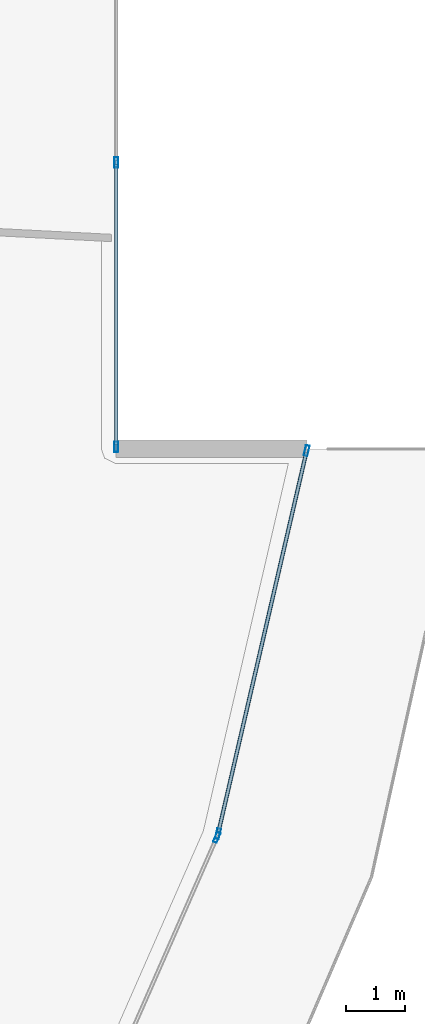
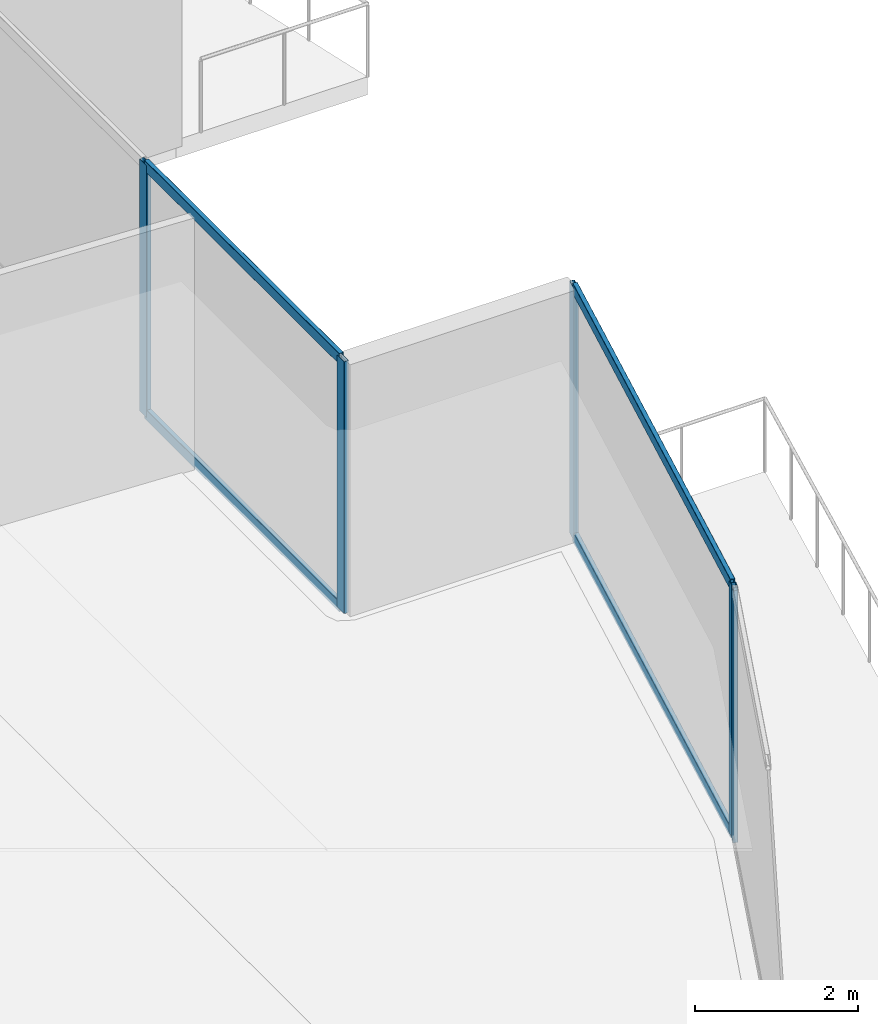
# One storey, part 11 of 40: 9 members, 3 elements without a shape of their own.
"""IFC4 building model written with IfcOpenShell, lengths in metres."""

import ifcopenshell
import ifcopenshell.guid

model = None  # the IFC model being written
_history = None  # IfcOwnerHistory: only IFC2X3 demands one
_inside = {}  # id of a spatial element -> (the spatial element, [elements in it])
_under = {}  # id of a project, library or spatial element -> (it, [spatial elements below it])
_declared = {}  # id of a project -> (the project, [libraries it declares])
_typed = {}  # id of a type object -> (the type object, [elements of that type])
_made_of = {}  # id of a material, layer set ... -> (it, [elements and type objects made of it])


def new_model(schema):
    """Start an empty IFC model of exactly this schema.

    Asked for "IFC4X3", IfcOpenShell would pick the latest addendum, in which some entities
    have other attributes; the version numbers below select the first issue.
    IFC2X3 requires an IfcOwnerHistory on every rooted entity: one is made here for all.
    """
    global model, _history
    if schema == "IFC4X3":
        model = ifcopenshell.file(schema_version=(4, 3, 0, 0))
    else:
        model = ifcopenshell.file(schema=schema)
    _inside.clear()
    _under.clear()
    _declared.clear()
    _typed.clear()
    _made_of.clear()
    _history = None
    if model.schema == "IFC2X3":
        org = make("IfcOrganization", Name="unknown")
        user = make(
            "IfcPersonAndOrganization",
            ThePerson=make("IfcPerson", FamilyName="unknown"),
            TheOrganization=org,
        )
        app = make(
            "IfcApplication",
            ApplicationDeveloper=org,
            Version="unknown",
            ApplicationFullName="unknown",
            ApplicationIdentifier="unknown",
        )
        _history = make(
            "IfcOwnerHistory",
            OwningUser=user,
            OwningApplication=app,
            ChangeAction="ADDED",
            CreationDate=0,
        )
    return model


def make(cls, **values):
    """One entity of the class cls with the attributes given. An attribute that is None is left unset."""
    return model.create_entity(
        cls, **{name: value for name, value in values.items() if value is not None}
    )


def rooted(cls, **values):
    """An entity with a GlobalId (a new one), such as an element, a storey or a relation."""
    return make(cls, GlobalId=ifcopenshell.guid.new(), OwnerHistory=_history, **values)


def si_unit(unit_type, name, prefix=None):
    """IfcSIUnit, for example si_unit("LENGTHUNIT", "METRE", prefix="MILLI")."""
    return make("IfcSIUnit", UnitType=unit_type, Prefix=prefix, Name=name)


def assignment(units):
    """IfcUnitAssignment: the units of a project."""
    return None if units is None else make("IfcUnitAssignment", Units=units)


def point(xyz):
    """IfcCartesianPoint."""
    return None if xyz is None else make("IfcCartesianPoint", Coordinates=xyz)


def direction(xyz):
    """IfcDirection."""
    return None if xyz is None else make("IfcDirection", DirectionRatios=xyz)


def frame(location, z_axis=None, x_axis=None):
    """IfcAxis2Placement3D, a coordinate frame: its origin and axes. An axis left out is left unset."""
    return make(
        "IfcAxis2Placement3D",
        Location=point(location),
        Axis=direction(z_axis),
        RefDirection=direction(x_axis),
    )


def frame_2d(location, x_axis=None):
    """IfcAxis2Placement2D, a coordinate frame in the plane: its origin and x axis."""
    return make(
        "IfcAxis2Placement2D", Location=point(location), RefDirection=direction(x_axis)
    )


def origin():
    """The frame at (0, 0, 0) with its axes left unset."""
    return frame((0.0, 0.0, 0.0))


def origin_2d():
    """The frame at (0, 0) in the plane with its x axis left unset."""
    return frame_2d((0.0, 0.0))


def place(relative_to, where):
    """IfcLocalPlacement: puts the frame where relative to a parent placement (None: the world)."""
    return make(
        "IfcLocalPlacement", PlacementRelTo=relative_to, RelativePlacement=where
    )


def context(
    kind, dimensions, precision=None, world=None, true_north=None, identifier=None
):
    """IfcGeometricRepresentationContext, for example the 3D "Model" context."""
    return make(
        "IfcGeometricRepresentationContext",
        ContextIdentifier=identifier,
        ContextType=kind,
        CoordinateSpaceDimension=dimensions,
        Precision=precision,
        WorldCoordinateSystem=world,
        TrueNorth=true_north,
    )


def subcontext(parent, identifier, kind, view, scale=None):
    """IfcGeometricRepresentationSubContext, for example "Body" below "Model"."""
    return make(
        "IfcGeometricRepresentationSubContext",
        ContextIdentifier=identifier,
        ContextType=kind,
        ParentContext=parent,
        TargetScale=scale,
        TargetView=view,
    )


def project(units=None, contexts=None):
    """IfcProject with its units and contexts."""
    return rooted(
        "IfcProject",
        Name="project",
        RepresentationContexts=contexts,
        UnitsInContext=assignment(units),
    )


def spatial(cls, under=None, at=None, **own):
    """A site, building, storey or space (cls), placed at a placement, below another one or the project."""
    s = rooted(cls, ObjectPlacement=at, **own)
    if under is not None:
        _under.setdefault(under.id(), (under, []))[1].append(s)
    return s


def profile(cls, at=None, kind="AREA", **sizes):
    """A parametric profile (cls). Its sizes go by their IFC names, for example OverallWidth=200.0."""
    return make(cls, ProfileType=kind, Position=at, **sizes)


def hollow_rectangle(**sizes):
    """IfcRectangleHollowProfileDef."""
    return profile("IfcRectangleHollowProfileDef", **sizes)


def extrude(swept, where, along, depth):
    """IfcExtrudedAreaSolid: the profile swept, set in the frame where, extruded along a direction by depth."""
    return make(
        "IfcExtrudedAreaSolid",
        SweptArea=swept,
        Position=where,
        ExtrudedDirection=direction(along),
        Depth=depth,
    )


def shape(context_of_items, identifier, shape_type, items):
    """IfcShapeRepresentation: the items that make up one representation, for example the "Body"."""
    return make(
        "IfcShapeRepresentation",
        ContextOfItems=context_of_items,
        RepresentationIdentifier=identifier,
        RepresentationType=shape_type,
        Items=items,
    )


def material(Name=None, Category=None):
    """IfcMaterial."""
    return make("IfcMaterial", Name=Name, Category=Category)


def layer(
    of_material, thickness, ventilated=None, Name=None, Category=None, Priority=None
):
    """IfcMaterialLayer: one layer of a wall or slab, of a material (None: an air gap)."""
    return make(
        "IfcMaterialLayer",
        Material=of_material,
        LayerThickness=thickness,
        IsVentilated=ventilated,
        Name=Name,
        Category=Category,
        Priority=Priority,
    )


def layer_set(layers, Name=None):
    """IfcMaterialLayerSet."""
    return make("IfcMaterialLayerSet", MaterialLayers=layers, LayerSetName=Name)


def material_profile(
    of_material, cross_section, Name=None, Category=None, Priority=None
):
    """IfcMaterialProfile: a cross section and its material."""
    return make(
        "IfcMaterialProfile",
        Name=Name,
        Material=of_material,
        Profile=cross_section,
        Priority=Priority,
        Category=Category,
    )


def profile_set(profiles, Name=None, composite=None):
    """IfcMaterialProfileSet."""
    return make(
        "IfcMaterialProfileSet",
        Name=Name,
        MaterialProfiles=profiles,
        CompositeProfile=composite,
    )


def made_of(thing, what):
    """Note that an element or type object is made of a material, layer set ...; save() writes the relation."""
    if what is not None:
        _made_of.setdefault(what.id(), (what, []))[1].append(thing)
    return thing


def type_object(cls, material=None, **own):
    """A type object (cls), such as IfcWallType, which elements share."""
    return made_of(rooted(cls, **own), material)


def element(
    cls,
    number,
    at=None,
    inside=None,
    cuts=None,
    type_object=None,
    material=None,
    context=None,
    identifier="Body",
    shape_type=None,
    held_by="IfcProductDefinitionShape",
    body=None,
    shapes=None,
    **own,
):
    """One element of the class cls, such as IfcWall. Its Tag is "e" and its number.

    at: its placement. inside: the storey or other place that contains it. cuts: it is an
    opening in that element (IfcRelVoidsElement). A single representation is given by context,
    identifier, shape_type and body (its items); several are given by shapes. held_by: the class
    of the entity that holds the representations. save() writes the other relations.
    """
    e = rooted(cls, Tag="e%d" % number, ObjectPlacement=at, **own)
    if body is not None:
        shapes = [shape(context, identifier, shape_type, body)]
    if shapes is not None:
        e.Representation = make(held_by, Representations=shapes)
    if inside is not None:
        _inside.setdefault(inside.id(), (inside, []))[1].append(e)
    if cuts is not None:
        rooted(
            "IfcRelVoidsElement", RelatingBuildingElement=cuts, RelatedOpeningElement=e
        )
    if type_object is not None:
        _typed.setdefault(type_object.id(), (type_object, []))[1].append(e)
    return made_of(e, material)


def aggregate(whole, parts):
    """IfcRelAggregates: a whole, such as a stair, and the parts it consists of."""
    return rooted("IfcRelAggregates", RelatingObject=whole, RelatedObjects=parts)


def save(model, path):
    """Write the relations noted so far, then the file.

    IfcRelAggregates (storeys below a building ...), IfcRelContainedInSpatialStructure (elements
    in a storey), IfcRelDefinesByType, IfcRelAssociatesMaterial and IfcRelDeclares: one each for
    every whole, place, type object, material and project.
    """
    for whole, parts in _under.values():
        aggregate(whole, parts)
    for where, things in _inside.values():
        rooted(
            "IfcRelContainedInSpatialStructure",
            RelatedElements=things,
            RelatingStructure=where,
        )
    for kind, things in _typed.values():
        rooted("IfcRelDefinesByType", RelatedObjects=things, RelatingType=kind)
    for what, things in _made_of.values():
        rooted("IfcRelAssociatesMaterial", RelatedObjects=things, RelatingMaterial=what)
    for by, libraries in _declared.values():
        rooted("IfcRelDeclares", RelatingContext=by, RelatedDefinitions=libraries)
    model.write(path)


model = new_model("IFC4")

# Units and contexts
model_context = context("Model", 3, precision=1e-05, world=origin(), true_north=direction((0.0, 1.0)))
body_context = subcontext(model_context, "Body", "Model", "MODEL_VIEW")
ifc_project = project(units=[si_unit("LENGTHUNIT", "METRE"), si_unit("AREAUNIT", "SQUARE_METRE"), si_unit("VOLUMEUNIT", "CUBIC_METRE"), si_unit("PLANEANGLEUNIT", "RADIAN"), si_unit("MASSUNIT", "GRAM", prefix="KILO")], contexts=[model_context])

# Site, building, storey
site_placement = place(None, origin())
site = spatial("IfcSite", under=ifc_project, at=site_placement, CompositionType="ELEMENT")
building_placement = place(site_placement, origin())
building = spatial("IfcBuilding", under=site, at=building_placement, Name="Qorvath Tower", CompositionType="ELEMENT")
storey_placement = place(building_placement, frame((0.0, 0.0, 138.14990234375)))
storey = spatial("IfcBuildingStorey", under=building, at=storey_placement, Name="L31", CompositionType="ELEMENT", Elevation=138.14990234375)

# Curtain wall, member
ifc_material_1 = material(Name="Anodised aluminium and triple low-E glass", Category="aluminium")
ifc_layer = layer(ifc_material_1, 0.179931640625)
ifc_layer_set = layer_set([ifc_layer], Name="CW-SYS-3")
curtain_wall_type = type_object("IfcCurtainWallType", Name="CW-SYS-3", PredefinedType="NOTDEFINED", material=ifc_layer_set)
curtain_wall_1_placement = place(storey_placement, origin())
curtain_wall_1 = element("IfcCurtainWall", 1, at=curtain_wall_1_placement, inside=storey, type_object=curtain_wall_type, Name="Curtain Wall CW-3 CW-T-L31-6.1", PredefinedType="NOTDEFINED")
ifc_material_2 = material(Name="Anodised aluminium 6063-T6", Category="aluminium")
ifc_material_profile_1 = material_profile(ifc_material_2, hollow_rectangle(XDim=0.06494140625, YDim=0.179931640625, WallThickness=0.00341796875, InnerFilletRadius=0.00341796875, OuterFilletRadius=0.007080078125, at=origin_2d()), Name="CWM 180x65")
ifc_profile_set_1 = profile_set([ifc_material_profile_1], Name="Anodised aluminium 6063-T6")
member_type_1 = type_object("IfcMemberType", Name="CWM-180", PredefinedType="MULLION", material=ifc_profile_set_1)
member_1_placement = place(storey_placement, frame((2.578857421875, -11.50634765625, 0.0), z_axis=(0.0, 0.0, 1.0), x_axis=(-0.915735385605, 0.401781910433, 0.0)))
member_1 = element("IfcMember", 2, at=member_1_placement, type_object=member_type_1, Name="CW-3 mullion 2", PredefinedType="MULLION", context=body_context, shape_type="SweptSolid", body=[
    extrude(hollow_rectangle(XDim=0.06494140625, YDim=0.179931640625, WallThickness=0.00341796875, InnerFilletRadius=0.00341796875, OuterFilletRadius=0.007080078125, at=origin_2d()), origin(), (0.0, 0.0, 1.0), 3.780029296875),
])
aggregate(curtain_wall_1, [member_1])

# Curtain wall, members
curtain_wall_2_placement = place(storey_placement, origin())
curtain_wall_2 = element("IfcCurtainWall", 3, at=curtain_wall_2_placement, inside=storey, type_object=curtain_wall_type, Name="Curtain Wall CW-3 CW-T-L31-7.1", PredefinedType="NOTDEFINED")
member_2_placement = place(storey_placement, frame((2.59912109375, -11.44482421875, 0.0), z_axis=(0.0, 0.0, 1.0), x_axis=(-0.974262314004, 0.225417265338, 0.0)))
member_2 = element("IfcMember", 4, at=member_2_placement, type_object=member_type_1, Name="CW-3 mullion 1", PredefinedType="MULLION", context=body_context, shape_type="SweptSolid", body=[
    extrude(hollow_rectangle(XDim=0.06494140625, YDim=0.179931640625, WallThickness=0.00341796875, InnerFilletRadius=0.00341796875, OuterFilletRadius=0.007080078125, at=origin_2d()), origin(), (0.0, 0.0, 1.0), 3.780029296875),
])
member_3_placement = place(storey_placement, frame((4.1103515625, -4.913330078125, 0.0), z_axis=(0.0, 0.0, 1.0), x_axis=(-0.974262314004, 0.225417265338, 0.0)))
member_3 = element("IfcMember", 5, at=member_3_placement, type_object=member_type_1, Name="CW-3 mullion 2", PredefinedType="MULLION", context=body_context, shape_type="SweptSolid", body=[
    extrude(hollow_rectangle(XDim=0.06494140625, YDim=0.179931640625, WallThickness=0.00341796875, InnerFilletRadius=0.00341796875, OuterFilletRadius=0.007080078125, at=origin_2d()), origin(), (0.0, 0.0, 1.0), 3.780029296875),
])

curtain_wall_3_placement = place(storey_placement, origin())
curtain_wall_3 = element("IfcCurtainWall", 6, at=curtain_wall_3_placement, inside=storey, type_object=curtain_wall_type, Name="Curtain Wall CW-3 CW-T-L31-9.1", PredefinedType="NOTDEFINED")
member_4_placement = place(storey_placement, frame((0.86328125, -4.84912109375, 0.0), z_axis=(0.0, 0.0, 1.0), x_axis=(-1.0, 0.0, 0.0)))
member_4 = element("IfcMember", 7, at=member_4_placement, type_object=member_type_1, Name="CW-3 mullion 1", PredefinedType="MULLION", context=body_context, shape_type="SweptSolid", body=[
    extrude(hollow_rectangle(XDim=0.06494140625, YDim=0.179931640625, WallThickness=0.00341796875, InnerFilletRadius=0.00341796875, OuterFilletRadius=0.007080078125, at=origin_2d()), origin(), (0.0, 0.0, 1.0), 3.780029296875),
])
member_5_placement = place(storey_placement, frame((0.86328125, 0.0, 0.0), z_axis=(0.0, 0.0, 1.0), x_axis=(-1.0, 0.0, 0.0)))
member_5 = element("IfcMember", 8, at=member_5_placement, type_object=member_type_1, Name="CW-3 mullion 2", PredefinedType="MULLION", context=body_context, shape_type="SweptSolid", body=[
    extrude(hollow_rectangle(XDim=0.06494140625, YDim=0.179931640625, WallThickness=0.00341796875, InnerFilletRadius=0.00341796875, OuterFilletRadius=0.007080078125, at=origin_2d()), origin(), (0.0, 0.0, 1.0), 3.780029296875),
])

# Member
ifc_material_3 = material(Name="Anodised aluminium 6063-T6", Category="aluminium")
ifc_material_profile_2 = material_profile(ifc_material_3, hollow_rectangle(XDim=0.06494140625, YDim=0.159912109375, WallThickness=0.00341796875, InnerFilletRadius=0.00341796875, OuterFilletRadius=0.007080078125, at=origin_2d()), Name="CWT 160x65")
ifc_profile_set_2 = profile_set([ifc_material_profile_2], Name="Anodised aluminium 6063-T6")
member_type_2 = type_object("IfcMemberType", Name="CWT-160", PredefinedType="USERDEFINED", material=ifc_profile_set_2)
member_6_placement = place(storey_placement, frame((2.6064453125, -11.413330078125, 0.032470703125), z_axis=(0.225410012151, 0.974263992161, 0.0), x_axis=(-0.974263992161, 0.225410012151, 0.0)))
member_6 = element("IfcMember", 9, at=member_6_placement, type_object=member_type_2, Name="CW-3 transom 1.1", ObjectType="TRANSOM", PredefinedType="USERDEFINED", context=body_context, shape_type="SweptSolid", body=[
    extrude(hollow_rectangle(XDim=0.06494140625, YDim=0.159912109375, WallThickness=0.00341796875, InnerFilletRadius=0.00341796875, OuterFilletRadius=0.007080078125, at=origin_2d()), origin(), (0.0, 0.0, 1.0), 6.639404296875),
])

member_7_placement = place(storey_placement, frame((2.6064453125, -11.413330078125, 3.74755859375), z_axis=(0.225410012151, 0.974263992161, 0.0), x_axis=(-0.974263992161, 0.225410012151, 0.0)))
member_7 = element("IfcMember", 10, at=member_7_placement, type_object=member_type_2, Name="CW-3 transom 1.2", ObjectType="TRANSOM", PredefinedType="USERDEFINED", context=body_context, shape_type="SweptSolid", body=[
    extrude(hollow_rectangle(XDim=0.06494140625, YDim=0.159912109375, WallThickness=0.00341796875, InnerFilletRadius=0.00341796875, OuterFilletRadius=0.007080078125, at=origin_2d()), origin(), (0.0, 0.0, 1.0), 6.639404296875),
])

aggregate(curtain_wall_2, [member_2, member_3, member_6, member_7])

member_8_placement = place(storey_placement, frame((0.86328125, -4.816650390625, 0.032470703125), z_axis=(0.0, 1.0, 0.0), x_axis=(-1.0, 0.0, 0.0)))
member_8 = element("IfcMember", 11, at=member_8_placement, type_object=member_type_2, Name="CW-3 transom 1.1", ObjectType="TRANSOM", PredefinedType="USERDEFINED", context=body_context, shape_type="SweptSolid", body=[
    extrude(hollow_rectangle(XDim=0.06494140625, YDim=0.159912109375, WallThickness=0.00341796875, InnerFilletRadius=0.00341796875, OuterFilletRadius=0.007080078125, at=origin_2d()), origin(), (0.0, 0.0, 1.0), 4.7841796875),
])

member_9_placement = place(storey_placement, frame((0.86328125, -4.816650390625, 3.74755859375), z_axis=(0.0, 1.0, 0.0), x_axis=(-1.0, 0.0, 0.0)))
member_9 = element("IfcMember", 12, at=member_9_placement, type_object=member_type_2, Name="CW-3 transom 1.2", ObjectType="TRANSOM", PredefinedType="USERDEFINED", context=body_context, shape_type="SweptSolid", body=[
    extrude(hollow_rectangle(XDim=0.06494140625, YDim=0.159912109375, WallThickness=0.00341796875, InnerFilletRadius=0.00341796875, OuterFilletRadius=0.007080078125, at=origin_2d()), origin(), (0.0, 0.0, 1.0), 4.7841796875),
])

aggregate(curtain_wall_3, [member_4, member_5, member_8, member_9])

save(model, "model.ifc")
